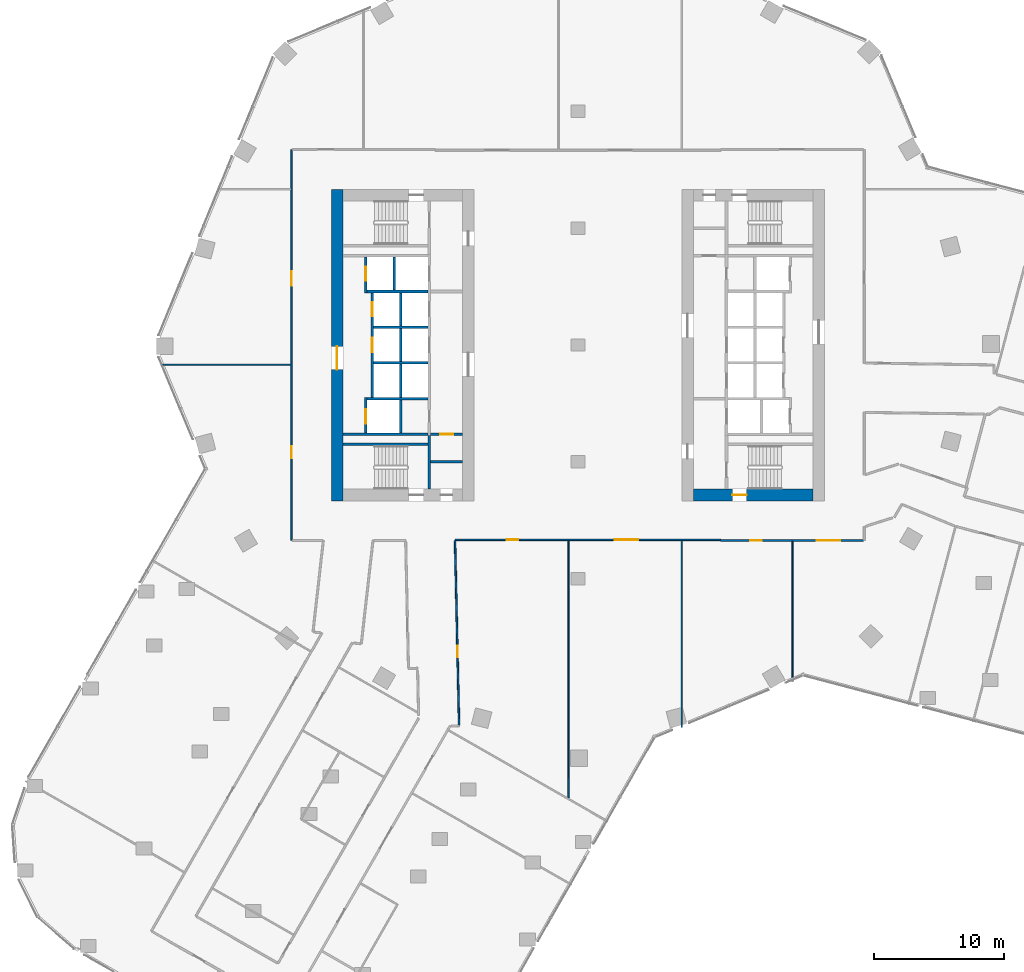
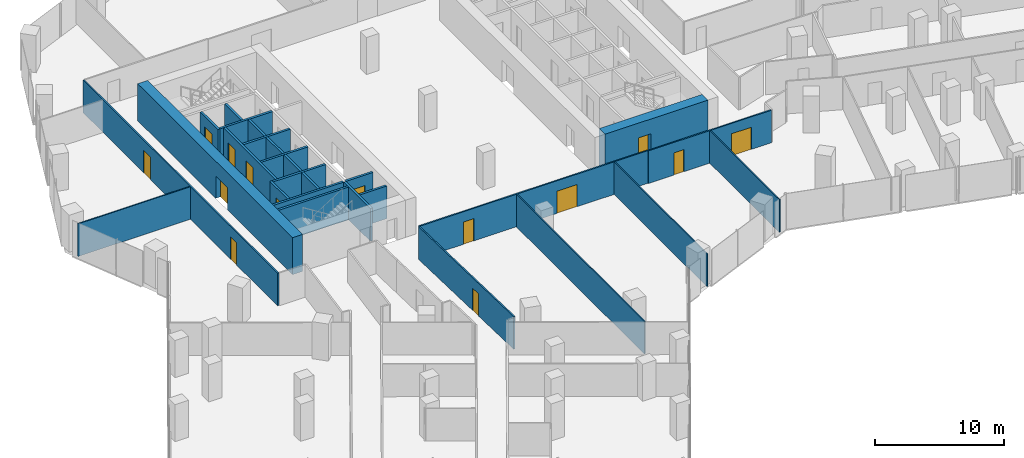
# One storey, part 27 of 34: 27 walls, 14 doors, 14 openings.
"""IFC4 building model written with IfcOpenShell, lengths in metres."""

from ifc_helpers import new_model, si_unit, direction, frame, frame_2d, origin, place, context, subcontext, project, spatial, rectangle, extrude, material, layer, layer_set, type_object, element, fill, save


model = new_model("IFC4")

# Units and contexts
model_context = context("Model", 3, precision=1e-05, world=origin(), true_north=direction((0.0, 1.0)))
body_context = subcontext(model_context, "Body", "Model", "MODEL_VIEW")
ifc_project = project(units=[si_unit("LENGTHUNIT", "METRE"), si_unit("AREAUNIT", "SQUARE_METRE"), si_unit("VOLUMEUNIT", "CUBIC_METRE"), si_unit("PLANEANGLEUNIT", "RADIAN"), si_unit("MASSUNIT", "GRAM", prefix="KILO")], contexts=[model_context])

# Site, building, storey
site_placement = place(None, origin())
site = spatial("IfcSite", under=ifc_project, at=site_placement, CompositionType="ELEMENT")
building_placement = place(site_placement, origin())
building = spatial("IfcBuilding", under=site, at=building_placement, Name="Orlundy Tower", CompositionType="ELEMENT")
storey_placement = place(building_placement, frame((0.0, 0.0, 105.699951171875)))
storey = spatial("IfcBuildingStorey", under=building, at=storey_placement, Name="L26", CompositionType="ELEMENT", Elevation=105.699951171875)

# Wall, opening, door
ifc_material_1 = material(Name="Concrete C80/95", Category="concrete")
ifc_layer_1 = layer(ifc_material_1, 0.89990234375)
ifc_layer_set_1 = layer_set([ifc_layer_1], Name="CORE WALL 900 C80/95")
wall_type_1 = type_object("IfcWallType", Name="CORE WALL 900 C80/95", PredefinedType="SHEAR", material=ifc_layer_set_1)
wall_1_placement = place(storey_placement, frame((-18.550048828125, -12.0, 0.0), z_axis=(0.0, 0.0, 1.0), x_axis=(0.0, 1.0, 0.0)))
wall_1 = element("IfcWall", 1, at=wall_1_placement, inside=storey, type_object=wall_type_1, Name="Core wall W-W L26", PredefinedType="SHEAR", context=body_context, shape_type="SweptSolid", body=[
    extrude(rectangle(XDim=24.0, YDim=0.89990234375, at=frame_2d((12.0, 0.0))), origin(), (0.0, 0.0, 1.0), 3.5),
])
opening_1_placement = place(wall_1_placement, frame((10.10009765625, 0.0, 0.0)))
opening_1 = element("IfcOpeningElement", 2, at=opening_1_placement, cuts=wall_1, Name="Opening 21010", PredefinedType="OPENING", context=body_context, shape_type="SweptSolid", body=[
    extrude(rectangle(XDim=1.800048828125, YDim=2.10009765625, at=frame_2d((0.89990234375, 1.050048828125))), frame((0.0, 0.4599609375, 0.0), z_axis=(0.0, -1.0, 0.0), x_axis=(1.0, 0.0, 0.0)), (0.0, 0.0, 1.0), 0.919921875),
])
ifc_material_2 = material(Name="Timber door set", Category="wood")
door_type_1 = type_object("IfcDoorType", Name="Lobby Door 1800x2100", OperationType="DOUBLE_DOOR_DOUBLE_SWING", PredefinedType="DOOR", material=ifc_material_2)
door_1_placement = place(opening_1_placement, origin())
door_1 = element("IfcDoor", 3, at=door_1_placement, inside=storey, type_object=door_type_1, Name="Lift lobby door 21010", OperationType="SINGLE_SWING_LEFT", OverallHeight=2.10009765625, OverallWidth=1.800048828125, PredefinedType="DOOR", context=body_context, shape_type="SweptSolid", body=[
    extrude(rectangle(XDim=1.800048828125, YDim=2.10009765625, at=frame_2d((0.89990234375, 1.050048828125))), frame((0.0, 0.02490234375, 0.0), z_axis=(0.0, -1.0, 0.0), x_axis=(1.0, 0.0, 0.0)), (0.0, 0.0, 1.0), 0.050048828125),
])
fill(opening_1, door_1)

wall_2_placement = place(storey_placement, frame((8.89990234375, -11.550048828125, 0.0), z_axis=(0.0, 0.0, 1.0), x_axis=(1.0, 0.0, 0.0)))
wall_2 = element("IfcWall", 4, at=wall_2_placement, inside=storey, type_object=wall_type_1, Name="Core wall E-S L26", PredefinedType="SHEAR", context=body_context, shape_type="SweptSolid", body=[
    extrude(rectangle(XDim=9.2001953125, YDim=0.89990234375, at=frame_2d((4.60009765625, 0.0))), origin(), (0.0, 0.0, 1.0), 3.5),
])
opening_2_placement = place(wall_2_placement, frame((3.0, 0.0, 0.0)))
opening_2 = element("IfcOpeningElement", 5, at=opening_2_placement, cuts=wall_2, Name="Opening 21061", PredefinedType="OPENING", context=body_context, shape_type="SweptSolid", body=[
    extrude(rectangle(XDim=1.10009765625, YDim=2.10009765625, at=frame_2d((0.550048828125, 1.050048828125))), frame((0.0, 0.4599609375, 0.0), z_axis=(0.0, -1.0, 0.0), x_axis=(1.0, 0.0, 0.0)), (0.0, 0.0, 1.0), 0.919921875),
])
ifc_material_3 = material(Name="Steel door set", Category="steel")
door_type_2 = type_object("IfcDoorType", Name="Stair Door 1100x2100", OperationType="SINGLE_SWING_LEFT", PredefinedType="DOOR", material=ifc_material_3)
door_2_placement = place(opening_2_placement, origin())
door_2 = element("IfcDoor", 6, at=door_2_placement, inside=storey, type_object=door_type_2, Name="Stair door 21061", OperationType="SINGLE_SWING_LEFT", OverallHeight=2.10009765625, OverallWidth=1.10009765625, PredefinedType="DOOR", context=body_context, shape_type="SweptSolid", body=[
    extrude(rectangle(XDim=1.10009765625, YDim=2.10009765625, at=frame_2d((0.550048828125, 1.050048828125))), frame((0.0, 0.02490234375, 0.0), z_axis=(0.0, -1.0, 0.0), x_axis=(1.0, 0.0, 0.0)), (0.0, 0.0, 1.0), 0.050048828125),
])
fill(opening_2, door_2)

# Walls
ifc_material_4 = material(Name="Gypsum board partition")
ifc_layer_2 = layer(ifc_material_4, 0.10009765625)
ifc_layer_set_2 = layer_set([ifc_layer_2], Name="Floor partition 100")
wall_type_2 = type_object("IfcWallType", Name="Floor partition 100", PredefinedType="PARTITIONING", material=ifc_layer_set_2)
wall_3_placement = place(storey_placement, frame((-32.14599609375, -1.52392578125, 0.0), z_axis=(0.0, 0.0, 1.0), x_axis=(1.0, 0.0, 0.0)))
element("IfcWall", 7, at=wall_3_placement, inside=storey, type_object=wall_type_2, Name="wall-int-L26-035", PredefinedType="PARTITIONING", context=body_context, shape_type="SweptSolid", body=[
    extrude(rectangle(XDim=10.032958984375, YDim=0.10009765625, at=frame_2d((5.0166015625, 0.0))), origin(), (0.0, 0.0, 1.0), 3.080078125),
])
wall_4_placement = place(storey_placement, frame((16.52099609375, -25.882080078125, 0.0), z_axis=(0.0, 0.0, 1.0), x_axis=(0.0, 1.0, 0.0)))
element("IfcWall", 8, at=wall_4_placement, inside=storey, type_object=wall_type_2, Name="wall-int-L26-076", PredefinedType="PARTITIONING", context=body_context, shape_type="SweptSolid", body=[
    extrude(rectangle(XDim=10.76806640625, YDim=0.10009765625, at=frame_2d((5.384033203125, 0.0))), origin(), (0.0, 0.0, 1.0), 3.080078125),
])
wall_5_placement = place(storey_placement, frame((8.0, -29.44091796875, 0.0), z_axis=(0.0, 0.0, 1.0), x_axis=(0.0, 1.0, 0.0)))
element("IfcWall", 9, at=wall_5_placement, inside=storey, type_object=wall_type_2, Name="wall-int-L26-077", PredefinedType="PARTITIONING", context=body_context, shape_type="SweptSolid", body=[
    extrude(rectangle(XDim=14.3779296875, YDim=0.10009765625, at=frame_2d((7.18896484375, 0.0))), origin(), (0.0, 0.0, 1.0), 3.080078125),
])
wall_6_placement = place(storey_placement, frame((-0.735107421875, -34.8740234375, 0.0), z_axis=(0.0, 0.0, 1.0), x_axis=(6.1614294e-05, 0.999999998102, 0.0)))
element("IfcWall", 10, at=wall_6_placement, inside=storey, type_object=wall_type_2, Name="wall-int-L26-079", PredefinedType="PARTITIONING", context=body_context, shape_type="SweptSolid", body=[
    extrude(rectangle(XDim=19.81201171875, YDim=0.10009765625, at=frame_2d((9.906005859375, 0.0))), origin(), (0.0, 0.0, 1.0), 3.080078125),
])

# Wall, opening, door
ifc_material_5 = material(Name="Gypsum board partition, double layer")
ifc_layer_3 = layer(ifc_material_5, 0.125)
ifc_layer_set_3 = layer_set([ifc_layer_3], Name="Floor partition 125")
wall_type_3 = type_object("IfcWallType", Name="Floor partition 125", PredefinedType="PARTITIONING", material=ifc_layer_set_3)
wall_7_placement = place(storey_placement, frame((-9.467041015625, -15.06201171875, 0.0), z_axis=(0.0, 0.0, 1.0), x_axis=(0.021956487302, -0.999758927275, 0.0)))
wall_7 = element("IfcWall", 11, at=wall_7_placement, inside=storey, type_object=wall_type_3, Name="wall-int-L26-004", PredefinedType="PARTITIONING", context=body_context, shape_type="SweptSolid", body=[
    extrude(rectangle(XDim=14.21044921875, YDim=0.125, at=frame_2d((7.105224609375, 0.0))), origin(), (0.0, 0.0, 1.0), 3.080078125),
])
opening_3_placement = place(wall_7_placement, frame((8.09521484375, 0.0, 0.0)))
opening_3 = element("IfcOpeningElement", 12, at=opening_3_placement, cuts=wall_7, Name="Opening 21121", PredefinedType="OPENING", context=body_context, shape_type="SweptSolid", body=[
    extrude(rectangle(XDim=0.89990234375, YDim=2.10009765625, at=frame_2d((0.449951171875, 1.050048828125))), frame((0.0, 0.072509765625, 0.0), z_axis=(0.0, -1.0, 0.0), x_axis=(1.0, 0.0, 0.0)), (0.0, 0.0, 1.0), 0.14501953125),
])
ifc_material_6 = material(Name="Timber door leaf", Category="wood")
door_type_3 = type_object("IfcDoorType", Name="Floor door single 900 FD30S", OperationType="NOTDEFINED", PredefinedType="DOOR", material=ifc_material_6)
door_3_placement = place(opening_3_placement, origin())
door_3 = element("IfcDoor", 13, at=door_3_placement, inside=storey, type_object=door_type_3, Name="Door 21121", OperationType="SINGLE_SWING_RIGHT", OverallHeight=2.10009765625, OverallWidth=0.89990234375, PredefinedType="DOOR", context=body_context, shape_type="SweptSolid", body=[
    extrude(rectangle(XDim=0.89990234375, YDim=2.10009765625, at=frame_2d((0.449951171875, 1.050048828125))), frame((0.0, 0.02490234375, 0.0), z_axis=(0.0, -1.0, 0.0), x_axis=(1.0, 0.0, 0.0)), (0.0, 0.0, 1.0), 0.050048828125),
])
fill(opening_3, door_3)

# Wall, openings, doors
wall_8_placement = place(storey_placement, frame((21.988037109375, -15.051025390625, 0.0), z_axis=(0.0, 0.0, 1.0), x_axis=(-1.0, 0.0, 0.0)))
wall_8 = element("IfcWall", 14, at=wall_8_placement, inside=storey, type_object=wall_type_3, Name="wall-int-L26-033", PredefinedType="PARTITIONING", context=body_context, shape_type="SweptSolid", body=[
    extrude(rectangle(XDim=10.9970703125, YDim=0.125, at=frame_2d((5.49853515625, 0.0))), origin(), (0.0, 0.0, 1.0), 3.080078125),
])
opening_4_placement = place(wall_8_placement, frame((7.81640625, 0.0, 0.0)))
opening_4 = element("IfcOpeningElement", 15, at=opening_4_placement, cuts=wall_8, Name="Opening 21124", PredefinedType="OPENING", context=body_context, shape_type="SweptSolid", body=[
    extrude(rectangle(XDim=0.89990234375, YDim=2.10009765625, at=frame_2d((0.449951171875, 1.050048828125))), frame((0.0, 0.072509765625, 0.0), z_axis=(0.0, -1.0, 0.0), x_axis=(1.0, 0.0, 0.0)), (0.0, 0.0, 1.0), 0.14501953125),
])
opening_5_placement = place(wall_8_placement, frame((1.78759765625, 0.0, 0.0)))
opening_5 = element("IfcOpeningElement", 16, at=opening_5_placement, cuts=wall_8, Name="Opening 21125", PredefinedType="OPENING", context=body_context, shape_type="SweptSolid", body=[
    extrude(rectangle(XDim=1.800048828125, YDim=2.10009765625, at=frame_2d((0.89990234375, 1.050048828125))), frame((0.0, 0.072509765625, 0.0), z_axis=(0.0, -1.0, 0.0), x_axis=(1.0, 0.0, 0.0)), (0.0, 0.0, 1.0), 0.14501953125),
])
ifc_material_7 = material(Name="Timber door leaf", Category="wood")
door_type_4 = type_object("IfcDoorType", Name="Floor door double 1800 FD30S", OperationType="NOTDEFINED", PredefinedType="DOOR", material=ifc_material_7)
door_4_placement = place(opening_5_placement, origin())
door_4 = element("IfcDoor", 17, at=door_4_placement, inside=storey, type_object=door_type_4, Name="Door 21125", OperationType="DOUBLE_DOOR_SINGLE_SWING", OverallHeight=2.10009765625, OverallWidth=1.800048828125, PredefinedType="DOOR", context=body_context, shape_type="SweptSolid", body=[
    extrude(rectangle(XDim=1.800048828125, YDim=2.10009765625, at=frame_2d((0.89990234375, 1.050048828125))), frame((0.0, 0.02490234375, 0.0), z_axis=(0.0, -1.0, 0.0), x_axis=(1.0, 0.0, 0.0)), (0.0, 0.0, 1.0), 0.050048828125),
])
fill(opening_5, door_4)
door_5_placement = place(opening_4_placement, origin())
door_5 = element("IfcDoor", 18, at=door_5_placement, inside=storey, type_object=door_type_3, Name="Door 21124", OperationType="SINGLE_SWING_RIGHT", OverallHeight=2.10009765625, OverallWidth=0.89990234375, PredefinedType="DOOR", context=body_context, shape_type="SweptSolid", body=[
    extrude(rectangle(XDim=0.89990234375, YDim=2.10009765625, at=frame_2d((0.449951171875, 1.050048828125))), frame((0.0, 0.02490234375, 0.0), z_axis=(0.0, -1.0, 0.0), x_axis=(1.0, 0.0, 0.0)), (0.0, 0.0, 1.0), 0.050048828125),
])
fill(opening_4, door_5)

wall_9_placement = place(storey_placement, frame((10.989990234375, -15.0, 0.0), z_axis=(0.0, 0.0, 1.0), x_axis=(-1.0, 0.0, 0.0)))
wall_9 = element("IfcWall", 19, at=wall_9_placement, inside=storey, type_object=wall_type_3, Name="wall-int-L26-034", PredefinedType="PARTITIONING", context=body_context, shape_type="SweptSolid", body=[
    extrude(rectangle(XDim=20.4580078125, YDim=0.125, at=frame_2d((10.22900390625, 0.0))), origin(), (0.0, 0.0, 1.0), 3.080078125),
])
opening_6_placement = place(wall_9_placement, frame((15.573974609375, 0.0, 0.0)))
opening_6 = element("IfcOpeningElement", 20, at=opening_6_placement, cuts=wall_9, Name="Opening 21122", PredefinedType="OPENING", context=body_context, shape_type="SweptSolid", body=[
    extrude(rectangle(XDim=0.89990234375, YDim=2.10009765625, at=frame_2d((0.449951171875, 1.050048828125))), frame((0.0, 0.072509765625, 0.0), z_axis=(0.0, -1.0, 0.0), x_axis=(1.0, 0.0, 0.0)), (0.0, 0.0, 1.0), 0.14501953125),
])
opening_7_placement = place(wall_9_placement, frame((6.340087890625, 0.0, 0.0)))
opening_7 = element("IfcOpeningElement", 21, at=opening_7_placement, cuts=wall_9, Name="Opening 21123", PredefinedType="OPENING", context=body_context, shape_type="SweptSolid", body=[
    extrude(rectangle(XDim=1.800048828125, YDim=2.10009765625, at=frame_2d((0.89990234375, 1.050048828125))), frame((0.0, 0.072509765625, 0.0), z_axis=(0.0, -1.0, 0.0), x_axis=(1.0, 0.0, 0.0)), (0.0, 0.0, 1.0), 0.14501953125),
])
door_6_placement = place(opening_7_placement, origin())
door_6 = element("IfcDoor", 22, at=door_6_placement, inside=storey, type_object=door_type_4, Name="Door 21123", OperationType="DOUBLE_DOOR_SINGLE_SWING", OverallHeight=2.10009765625, OverallWidth=1.800048828125, PredefinedType="DOOR", context=body_context, shape_type="SweptSolid", body=[
    extrude(rectangle(XDim=1.800048828125, YDim=2.10009765625, at=frame_2d((0.89990234375, 1.050048828125))), frame((0.0, 0.02490234375, 0.0), z_axis=(0.0, -1.0, 0.0), x_axis=(1.0, 0.0, 0.0)), (0.0, 0.0, 1.0), 0.050048828125),
])
fill(opening_7, door_6)
door_7_placement = place(opening_6_placement, origin())
door_7 = element("IfcDoor", 23, at=door_7_placement, inside=storey, type_object=door_type_3, Name="Door 21122", OperationType="SINGLE_SWING_RIGHT", OverallHeight=2.10009765625, OverallWidth=0.89990234375, PredefinedType="DOOR", context=body_context, shape_type="SweptSolid", body=[
    extrude(rectangle(XDim=0.89990234375, YDim=2.10009765625, at=frame_2d((0.449951171875, 1.050048828125))), frame((0.0, 0.02490234375, 0.0), z_axis=(0.0, -1.0, 0.0), x_axis=(1.0, 0.0, 0.0)), (0.0, 0.0, 1.0), 0.050048828125),
])
fill(opening_6, door_7)

wall_10_placement = place(storey_placement, frame((-22.050048828125, -15.051025390625, 0.0), z_axis=(0.0, 0.0, 1.0), x_axis=(0.0, 1.0, 0.0)))
wall_10 = element("IfcWall", 24, at=wall_10_placement, inside=storey, type_object=wall_type_3, Name="wall-int-L26-082", PredefinedType="PARTITIONING", context=body_context, shape_type="SweptSolid", body=[
    extrude(rectangle(XDim=30.10205078125, YDim=0.125, at=frame_2d((15.051025390625, 0.0))), origin(), (0.0, 0.0, 1.0), 3.080078125),
])
opening_8_placement = place(wall_10_placement, frame((6.35009765625, 0.0, 0.0)))
opening_8 = element("IfcOpeningElement", 25, at=opening_8_placement, cuts=wall_10, Name="Opening 21119", PredefinedType="OPENING", context=body_context, shape_type="SweptSolid", body=[
    extrude(rectangle(XDim=0.89990234375, YDim=2.10009765625, at=frame_2d((0.449951171875, 1.050048828125))), frame((0.0, 0.072509765625, 0.0), z_axis=(0.0, -1.0, 0.0), x_axis=(1.0, 0.0, 0.0)), (0.0, 0.0, 1.0), 0.14501953125),
])
opening_9_placement = place(wall_10_placement, frame((19.626953125, 0.0, 0.0)))
opening_9 = element("IfcOpeningElement", 26, at=opening_9_placement, cuts=wall_10, Name="Opening 21133", PredefinedType="OPENING", context=body_context, shape_type="SweptSolid", body=[
    extrude(rectangle(XDim=1.10009765625, YDim=2.10009765625, at=frame_2d((0.550048828125, 1.050048828125))), frame((0.0, 0.072509765625, 0.0), z_axis=(0.0, -1.0, 0.0), x_axis=(1.0, 0.0, 0.0)), (0.0, 0.0, 1.0), 0.14501953125),
])
door_8_placement = place(opening_8_placement, origin())
door_8 = element("IfcDoor", 27, at=door_8_placement, inside=storey, type_object=door_type_3, Name="Door 21119", OperationType="SINGLE_SWING_LEFT", OverallHeight=2.10009765625, OverallWidth=0.89990234375, PredefinedType="DOOR", context=body_context, shape_type="SweptSolid", body=[
    extrude(rectangle(XDim=0.89990234375, YDim=2.10009765625, at=frame_2d((0.449951171875, 1.050048828125))), frame((0.0, 0.02490234375, 0.0), z_axis=(0.0, -1.0, 0.0), x_axis=(1.0, 0.0, 0.0)), (0.0, 0.0, 1.0), 0.050048828125),
])
fill(opening_8, door_8)
ifc_material_8 = material(Name="Timber door leaf", Category="wood")
door_type_5 = type_object("IfcDoorType", Name="Floor door xwide 1100 FD30S", OperationType="NOTDEFINED", PredefinedType="DOOR", material=ifc_material_8)
door_9_placement = place(opening_9_placement, origin())
door_9 = element("IfcDoor", 28, at=door_9_placement, inside=storey, type_object=door_type_5, Name="Door 21133", OperationType="SINGLE_SWING_RIGHT", OverallHeight=2.10009765625, OverallWidth=1.10009765625, PredefinedType="DOOR", context=body_context, shape_type="SweptSolid", body=[
    extrude(rectangle(XDim=1.10009765625, YDim=2.10009765625, at=frame_2d((0.550048828125, 1.050048828125))), frame((0.0, 0.02490234375, 0.0), z_axis=(0.0, -1.0, 0.0), x_axis=(1.0, 0.0, 0.0)), (0.0, 0.0, 1.0), 0.050048828125),
])
fill(opening_9, door_9)

# Walls
ifc_material_9 = material(Name="Concrete C40/50", Category="concrete")
ifc_layer_4 = layer(ifc_material_9, 0.199951171875)
ifc_layer_set_4 = layer_set([ifc_layer_4], Name="Load-bearing Shaft Wall 200")
wall_type_4 = type_object("IfcWallType", Name="Load-bearing Shaft Wall 200", PredefinedType="SOLIDWALL", material=ifc_layer_set_4)
wall_11_placement = place(storey_placement, frame((-11.43994140625, -11.10009765625, 0.0), z_axis=(0.0, 0.0, 1.0), x_axis=(0.0, 1.0, 0.0)))
element("IfcWall", 29, at=wall_11_placement, inside=storey, type_object=wall_type_4, Name="Shaft wall W21-stair-end-s", PredefinedType="SOLIDWALL", context=body_context, shape_type="SweptSolid", body=[
    extrude(rectangle(XDim=4.125, YDim=0.199951171875, at=frame_2d((2.0625, 0.0))), origin(), (0.0, 0.0, 1.0), 3.090087890625),
])
wall_12_placement = place(storey_placement, frame((-11.5400390625, -7.64990234375, 0.0), z_axis=(0.0, 0.0, 1.0), x_axis=(-1.0, 0.0, 0.0)))
element("IfcWall", 30, at=wall_12_placement, inside=storey, type_object=wall_type_4, Name="Shaft wall W21-stair-side-s", PredefinedType="SOLIDWALL", context=body_context, shape_type="SweptSolid", body=[
    extrude(rectangle(XDim=6.56005859375, YDim=0.199951171875, at=frame_2d((3.280029296875, 0.0))), origin(), (0.0, 0.0, 1.0), 3.090087890625),
])

# Wall, opening, door
ifc_material_10 = material(Name="Gypsum board partition on steel studs", Category="steel")
ifc_layer_5 = layer(ifc_material_10, 0.199951171875)
ifc_layer_set_5 = layer_set([ifc_layer_5], Name="Partition 200")
wall_type_5 = type_object("IfcWallType", Name="Partition 200", PredefinedType="PARTITIONING", material=ifc_layer_set_5)
wall_13_placement = place(storey_placement, frame((-8.89990234375, -6.875, 0.0), z_axis=(0.0, 0.0, 1.0), x_axis=(-1.0, 0.0, 0.0)))
wall_13 = element("IfcWall", 31, at=wall_13_placement, inside=storey, type_object=wall_type_5, Name="Partition wall W21-end-s", PredefinedType="PARTITIONING", context=body_context, shape_type="SweptSolid", body=[
    extrude(rectangle(XDim=2.440185546875, YDim=0.199951171875, at=frame_2d((1.22021484375, 0.0))), origin(), (0.0, 0.0, 1.0), 3.090087890625),
])
opening_10_placement = place(wall_13_placement, frame((0.719970703125, 0.0, 0.0)))
opening_10 = element("IfcOpeningElement", 32, at=opening_10_placement, cuts=wall_13, Name="Opening 21016", PredefinedType="OPENING", context=body_context, shape_type="SweptSolid", body=[
    extrude(rectangle(XDim=1.0, YDim=2.10009765625, at=frame_2d((0.5, 1.050048828125))), frame((0.0, 0.110107421875, 0.0), z_axis=(0.0, -1.0, 0.0), x_axis=(1.0, 0.0, 0.0)), (0.0, 0.0, 1.0), 0.22021484375),
])
ifc_material_11 = material(Name="Timber door set", Category="wood")
door_type_6 = type_object("IfcDoorType", Name="Accessible Door 1000x2100", OperationType="SINGLE_SWING_LEFT", PredefinedType="DOOR", material=ifc_material_11)
door_10_placement = place(opening_10_placement, origin())
door_10 = element("IfcDoor", 33, at=door_10_placement, inside=storey, type_object=door_type_6, Name="Accessible WC door 21016", OperationType="SINGLE_SWING_RIGHT", OverallHeight=2.10009765625, OverallWidth=1.0, PredefinedType="DOOR", context=body_context, shape_type="SweptSolid", body=[
    extrude(rectangle(XDim=1.0, YDim=2.10009765625, at=frame_2d((0.5, 1.050048828125))), frame((0.0, 0.02490234375, 0.0), z_axis=(0.0, -1.0, 0.0), x_axis=(1.0, 0.0, 0.0)), (0.0, 0.0, 1.0), 0.050048828125),
])
fill(opening_10, door_10)

# Walls
wall_14_placement = place(storey_placement, frame((-8.89990234375, -9.0, 0.0), z_axis=(0.0, 0.0, 1.0), x_axis=(-1.0, 0.0, 0.0)))
element("IfcWall", 34, at=wall_14_placement, inside=storey, type_object=wall_type_5, Name="Partition wall W21-room-s0", PredefinedType="PARTITIONING", context=body_context, shape_type="SweptSolid", body=[
    extrude(rectangle(XDim=2.440185546875, YDim=0.199951171875, at=frame_2d((1.22021484375, 0.0))), origin(), (0.0, 0.0, 1.0), 3.090087890625),
])
ifc_material_12 = material(Name="Fire-rated blockwork shaft wall", Category="masonry")
ifc_layer_6 = layer(ifc_material_12, 0.199951171875)
ifc_layer_set_6 = layer_set([ifc_layer_6], Name="Shaft Wall 200")
wall_type_6 = type_object("IfcWallType", Name="Shaft Wall 200", PredefinedType="SOLIDWALL", material=ifc_layer_set_6)
wall_15_placement = place(storey_placement, frame((-11.5400390625, -6.875, 0.0), z_axis=(0.0, 0.0, 1.0), x_axis=(-1.0, 0.0, 0.0)))
element("IfcWall", 35, at=wall_15_placement, inside=storey, type_object=wall_type_6, Name="Shaft wall W21-zone-s", PredefinedType="SOLIDWALL", context=body_context, shape_type="SweptSolid", body=[
    extrude(rectangle(XDim=6.56005859375, YDim=0.199951171875, at=frame_2d((3.280029296875, 0.0))), origin(), (0.0, 0.0, 1.0), 3.090087890625),
])
wall_16_placement = place(storey_placement, frame((-11.5400390625, -4.125, 0.0), z_axis=(0.0, 0.0, 1.0), x_axis=(-1.0, 0.0, 0.0)))
element("IfcWall", 36, at=wall_16_placement, inside=storey, type_object=wall_type_6, Name="Shaft wall W21-cross-4.125", PredefinedType="SOLIDWALL", context=body_context, shape_type="SweptSolid", body=[
    extrude(rectangle(XDim=4.699951171875, YDim=0.199951171875, at=frame_2d((2.35009765625, 0.0))), origin(), (0.0, 0.0, 1.0), 3.090087890625),
])
for number, where, z_axis, x_axis, name in (
    (37, (-11.5400390625, -1.375, 0.0), (0.0, 0.0, 1.0), (-1.0, 0.0, 0.0), "Shaft wall W21-cross-1.375"),
    (38, (-11.5400390625, 1.375, 0.0), (0.0, 0.0, 1.0), (-1.0, 0.0, 0.0), "Shaft wall W21-cross+1.375"),
):
    element("IfcWall", number, at=place(storey_placement, frame(where, z_axis=z_axis, x_axis=x_axis)), inside=storey, type_object=wall_type_6, Name=name, PredefinedType="SOLIDWALL", context=body_context, shape_type="SweptSolid", body=[
        extrude(rectangle(XDim=4.199951171875, YDim=0.199951171875, at=frame_2d((2.10009765625, 0.0))), origin(), (0.0, 0.0, 1.0), 3.090087890625),
    ])
wall_17_placement = place(storey_placement, frame((-11.5400390625, 4.125, 0.0), z_axis=(0.0, 0.0, 1.0), x_axis=(-1.0, 0.0, 0.0)))
element("IfcWall", 39, at=wall_17_placement, inside=storey, type_object=wall_type_6, Name="Shaft wall W21-cross+4.125", PredefinedType="SOLIDWALL", context=body_context, shape_type="SweptSolid", body=[
    extrude(rectangle(XDim=4.699951171875, YDim=0.199951171875, at=frame_2d((2.35009765625, 0.0))), origin(), (0.0, 0.0, 1.0), 3.090087890625),
])
for number, where, z_axis, x_axis, name in (
    (40, (-13.639892578125, -6.77490234375, 0.0), (0.0, 0.0, 1.0), (0.0, 1.0, 0.0), "Shaft wall W21-mid-a"),
    (41, (-13.639892578125, -4.02490234375, 0.0), (0.0, 0.0, 1.0), (0.0, 1.0, 0.0), "Shaft wall W21-mid-a.1"),
    (42, (-13.639892578125, -1.27490234375, 0.0), (0.0, 0.0, 1.0), (0.0, 1.0, 0.0), "Shaft wall W21-mid-a.2"),
    (43, (-13.639892578125, 1.47509765625, 0.0), (0.0, 0.0, 1.0), (0.0, 1.0, 0.0), "Shaft wall W21-mid-a.3"),
    (44, (-14.139892578125, 4.22509765625, 0.0), (0.0, 0.0, 1.0), (0.0, 1.0, 0.0), "Shaft wall W21-mid-b"),
):
    element("IfcWall", number, at=place(storey_placement, frame(where, z_axis=z_axis, x_axis=x_axis)), inside=storey, type_object=wall_type_6, Name=name, PredefinedType="SOLIDWALL", context=body_context, shape_type="SweptSolid", body=[
        extrude(rectangle(XDim=2.5498046875, YDim=0.199951171875, at=frame_2d((1.27490234375, 0.0))), origin(), (0.0, 0.0, 1.0), 3.090087890625),
    ])

# Wall, opening, door
wall_18_placement = place(storey_placement, frame((-16.340087890625, -6.77490234375, 0.0), z_axis=(0.0, 0.0, 1.0), x_axis=(0.0, 1.0, 0.0)))
wall_18 = element("IfcWall", 45, at=wall_18_placement, inside=storey, type_object=wall_type_6, Name="Shaft wall W21-front-o-a", PredefinedType="SOLIDWALL", context=body_context, shape_type="SweptSolid", body=[
    extrude(rectangle(XDim=2.75, YDim=0.199951171875, at=frame_2d((1.375, 0.0))), origin(), (0.0, 0.0, 1.0), 3.090087890625),
])
opening_11_placement = place(wall_18_placement, frame((0.72509765625, 0.0, 0.0)))
opening_11 = element("IfcOpeningElement", 46, at=opening_11_placement, cuts=wall_18, Name="Opening 21001", PredefinedType="OPENING", context=body_context, shape_type="SweptSolid", body=[
    extrude(rectangle(XDim=1.10009765625, YDim=2.10009765625, at=frame_2d((0.550048828125, 1.050048828125))), frame((0.0, 0.110107421875, 0.0), z_axis=(0.0, -1.0, 0.0), x_axis=(1.0, 0.0, 0.0)), (0.0, 0.0, 1.0), 0.22021484375),
])
ifc_material_13 = material(Name="Steel door set", Category="steel")
door_type_7 = type_object("IfcDoorType", Name="Landing Door 1100x2100", OperationType="DOUBLE_DOOR_SLIDING", PredefinedType="DOOR", material=ifc_material_13)
door_11_placement = place(opening_11_placement, origin())
door_11 = element("IfcDoor", 47, at=door_11_placement, inside=storey, type_object=door_type_7, Name="Lift landing door LV-01 21001", OperationType="DOUBLE_DOOR_SLIDING", OverallHeight=2.10009765625, OverallWidth=1.10009765625, PredefinedType="DOOR", context=body_context, shape_type="SweptSolid", body=[
    extrude(rectangle(XDim=1.10009765625, YDim=2.10009765625, at=frame_2d((0.550048828125, 1.050048828125))), frame((0.0, 0.02490234375, 0.0), z_axis=(0.0, -1.0, 0.0), x_axis=(1.0, 0.0, 0.0)), (0.0, 0.0, 1.0), 0.050048828125),
])
fill(opening_11, door_11)

# Wall, openings, doors
wall_19_placement = place(storey_placement, frame((-15.840087890625, -4.02490234375, 0.0), z_axis=(0.0, 0.0, 1.0), x_axis=(0.0, 1.0, 0.0)))
wall_19 = element("IfcWall", 48, at=wall_19_placement, inside=storey, type_object=wall_type_6, Name="Shaft wall W21-front-o-b", PredefinedType="SOLIDWALL", context=body_context, shape_type="SweptSolid", body=[
    extrude(rectangle(XDim=8.0498046875, YDim=0.199951171875, at=frame_2d((4.02490234375, 0.0))), origin(), (0.0, 0.0, 1.0), 3.090087890625),
])
opening_12_placement = place(wall_19_placement, frame((3.47509765625, 0.0, 0.0)))
opening_12 = element("IfcOpeningElement", 49, at=opening_12_placement, cuts=wall_19, Name="Opening 21003", PredefinedType="OPENING", context=body_context, shape_type="SweptSolid", body=[
    extrude(rectangle(XDim=1.10009765625, YDim=2.10009765625, at=frame_2d((0.550048828125, 1.050048828125))), frame((0.0, 0.110107421875, 0.0), z_axis=(0.0, -1.0, 0.0), x_axis=(1.0, 0.0, 0.0)), (0.0, 0.0, 1.0), 0.22021484375),
])
opening_13_placement = place(wall_19_placement, frame((6.22509765625, 0.0, 0.0)))
opening_13 = element("IfcOpeningElement", 50, at=opening_13_placement, cuts=wall_19, Name="Opening 21005", PredefinedType="OPENING", context=body_context, shape_type="SweptSolid", body=[
    extrude(rectangle(XDim=1.10009765625, YDim=2.10009765625, at=frame_2d((0.550048828125, 1.050048828125))), frame((0.0, 0.110107421875, 0.0), z_axis=(0.0, -1.0, 0.0), x_axis=(1.0, 0.0, 0.0)), (0.0, 0.0, 1.0), 0.22021484375),
])
door_12_placement = place(opening_12_placement, origin())
door_12 = element("IfcDoor", 51, at=door_12_placement, inside=storey, type_object=door_type_7, Name="Lift landing door LP-01 21003", OperationType="DOUBLE_DOOR_SLIDING", OverallHeight=2.10009765625, OverallWidth=1.10009765625, PredefinedType="DOOR", context=body_context, shape_type="SweptSolid", body=[
    extrude(rectangle(XDim=1.10009765625, YDim=2.10009765625, at=frame_2d((0.550048828125, 1.050048828125))), frame((0.0, 0.02490234375, 0.0), z_axis=(0.0, -1.0, 0.0), x_axis=(1.0, 0.0, 0.0)), (0.0, 0.0, 1.0), 0.050048828125),
])
fill(opening_12, door_12)
door_13_placement = place(opening_13_placement, origin())
door_13 = element("IfcDoor", 52, at=door_13_placement, inside=storey, type_object=door_type_7, Name="Lift landing door LP-03 21005", OperationType="DOUBLE_DOOR_SLIDING", OverallHeight=2.10009765625, OverallWidth=1.10009765625, PredefinedType="DOOR", context=body_context, shape_type="SweptSolid", body=[
    extrude(rectangle(XDim=1.10009765625, YDim=2.10009765625, at=frame_2d((0.550048828125, 1.050048828125))), frame((0.0, 0.02490234375, 0.0), z_axis=(0.0, -1.0, 0.0), x_axis=(1.0, 0.0, 0.0)), (0.0, 0.0, 1.0), 0.050048828125),
])
fill(opening_13, door_13)

# Wall, opening, door
wall_20_placement = place(storey_placement, frame((-16.340087890625, 4.02490234375, 0.0), z_axis=(0.0, 0.0, 1.0), x_axis=(0.0, 1.0, 0.0)))
wall_20 = element("IfcWall", 53, at=wall_20_placement, inside=storey, type_object=wall_type_6, Name="Shaft wall W21-front-o-c", PredefinedType="SOLIDWALL", context=body_context, shape_type="SweptSolid", body=[
    extrude(rectangle(XDim=2.75, YDim=0.199951171875, at=frame_2d((1.375, 0.0))), origin(), (0.0, 0.0, 1.0), 3.090087890625),
])
opening_14_placement = place(wall_20_placement, frame((0.925048828125, 0.0, 0.0)))
opening_14 = element("IfcOpeningElement", 54, at=opening_14_placement, cuts=wall_20, Name="Opening 21007", PredefinedType="OPENING", context=body_context, shape_type="SweptSolid", body=[
    extrude(rectangle(XDim=1.10009765625, YDim=2.10009765625, at=frame_2d((0.550048828125, 1.050048828125))), frame((0.0, 0.110107421875, 0.0), z_axis=(0.0, -1.0, 0.0), x_axis=(1.0, 0.0, 0.0)), (0.0, 0.0, 1.0), 0.22021484375),
])
door_14_placement = place(opening_14_placement, origin())
door_14 = element("IfcDoor", 55, at=door_14_placement, inside=storey, type_object=door_type_7, Name="Lift landing door LP-04 21007", OperationType="DOUBLE_DOOR_SLIDING", OverallHeight=2.10009765625, OverallWidth=1.10009765625, PredefinedType="DOOR", context=body_context, shape_type="SweptSolid", body=[
    extrude(rectangle(XDim=1.10009765625, YDim=2.10009765625, at=frame_2d((0.550048828125, 1.050048828125))), frame((0.0, 0.02490234375, 0.0), z_axis=(0.0, -1.0, 0.0), x_axis=(1.0, 0.0, 0.0)), (0.0, 0.0, 1.0), 0.050048828125),
])
fill(opening_14, door_14)

save(model, "model.ifc")
